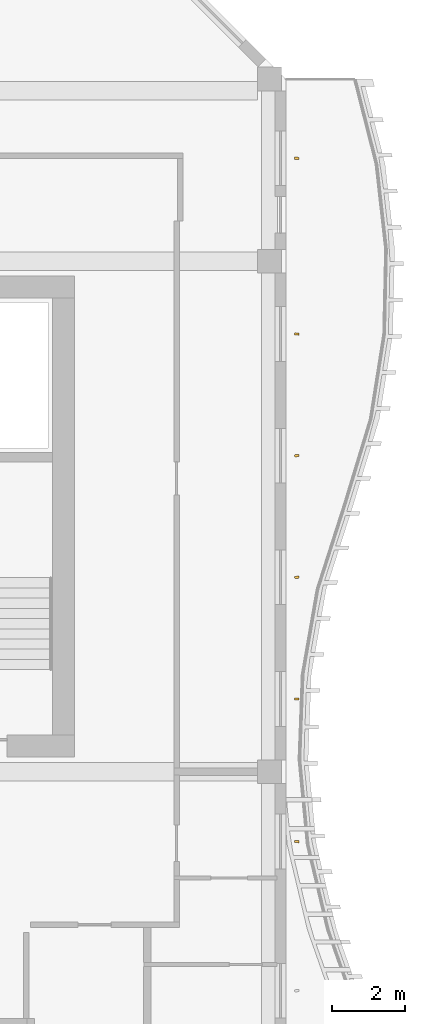
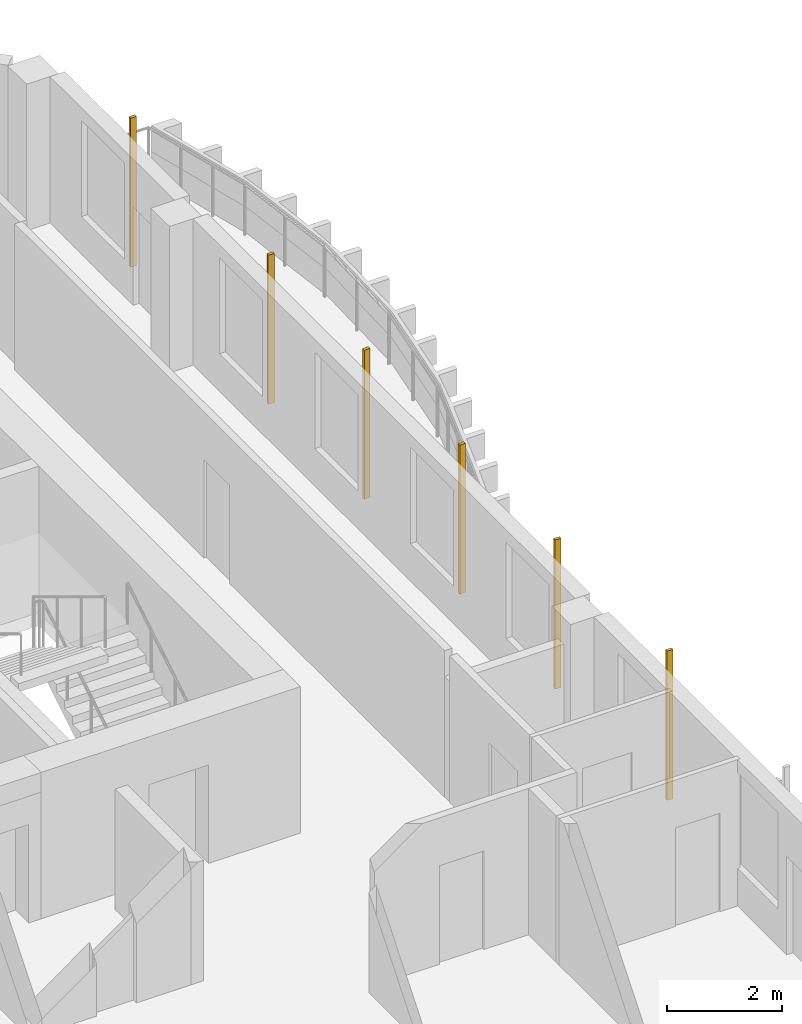
# One storey, part 18 of 18: 6 shading devices.
"""IFC4 building model written with IfcOpenShell, lengths in metres."""

from ifc_helpers import new_model, si_unit, direction, frame, origin, origin_2d, place, context, subcontext, project, spatial, rectangle, extrude, source, transform, mapped, material, material_profile, profile_set, type_object, element, save


model = new_model("IFC4")

# Units and contexts
model_context = context("Model", 3, precision=1e-05, world=origin(), true_north=direction((0.0, 1.0)))
body_context = subcontext(model_context, "Body", "Model", "MODEL_VIEW")
ifc_project = project(units=[si_unit("LENGTHUNIT", "METRE"), si_unit("AREAUNIT", "SQUARE_METRE"), si_unit("VOLUMEUNIT", "CUBIC_METRE"), si_unit("PLANEANGLEUNIT", "RADIAN"), si_unit("MASSUNIT", "GRAM", prefix="KILO")], contexts=[model_context])

# Site, building, storey
site_placement = place(None, origin())
site = spatial("IfcSite", under=ifc_project, at=site_placement, CompositionType="ELEMENT")
building_placement = place(site_placement, origin())
building = spatial("IfcBuilding", under=site, at=building_placement, Name="Kilnfold Tower and Market Hall", CompositionType="ELEMENT")
storey_placement = place(building_placement, frame((0.0, 0.0, 270.39990234375)))
storey = spatial("IfcBuildingStorey", under=building, at=storey_placement, Name="L66", CompositionType="ELEMENT", Elevation=270.39990234375)

# Shading devices
ifc_material = material(Name="Terracotta", Category="masonry")
ifc_material_profile = material_profile(ifc_material, rectangle(XDim=0.06005859375, YDim=0.1201171875, at=origin_2d()), Name="BAG 60x120")
ifc_profile_set = profile_set([ifc_material_profile], Name="Terracotta")
shading_device_type = type_object("IfcShadingDeviceType", Name="BAGUETTE", PredefinedType="USERDEFINED", material=ifc_profile_set)
shared_shape = source(origin(), body_context, "Body", "SweptSolid", [
    extrude(rectangle(XDim=0.06005859375, YDim=0.1201171875, at=origin_2d()), origin(), (0.0, 0.0, 1.0), 3.18017578125),
])
for number, where, z_axis, x_axis, name in (
    (1, (23.800048828125, 6.083251953125, 0.0), (0.0, 0.0, 1.0), (0.09764195757, 0.995221607544, 0.0), "Terracotta baguette L66 E"),
    (2, (23.800048828125, 9.99365234375, 0.0), (0.0, 0.0, 1.0), (0.079969280834, 0.996797328509, 0.0), "Terracotta baguette L66 E"),
    (3, (23.800048828125, 13.331298828125, 0.0), (0.0, 0.0, 1.0), (-0.108047938958, 0.994145684941, 0.0), "Terracotta baguette L66 E"),
    (4, (23.800048828125, 16.668701171875, 0.0), (0.0, 0.0, 1.0), (-0.095685920228, 0.995411575515, 0.0), "Terracotta baguette L66 E"),
    (5, (23.800048828125, 20.006103515625, 0.0), (0.0, 0.0, 1.0), (0.094155227966, 0.995557528748, 0.0), "Terracotta baguette L66 E"),
    (6, (23.800048828125, 24.824951171875, 0.0), (0.0, 0.0, 1.0), (0.032848167762, 0.999460353328, 0.0), "Terracotta baguette L66 E"),
):
    element("IfcShadingDevice", number, at=place(storey_placement, frame(where, z_axis=z_axis, x_axis=x_axis)), inside=storey, type_object=shading_device_type, Name=name, ObjectType="BAGUETTE", PredefinedType="USERDEFINED", context=body_context, shape_type="MappedRepresentation", body=[
        mapped(shared_shape, transform((0.0, 0.0, 0.0))),
    ])

save(model, "model.ifc")
